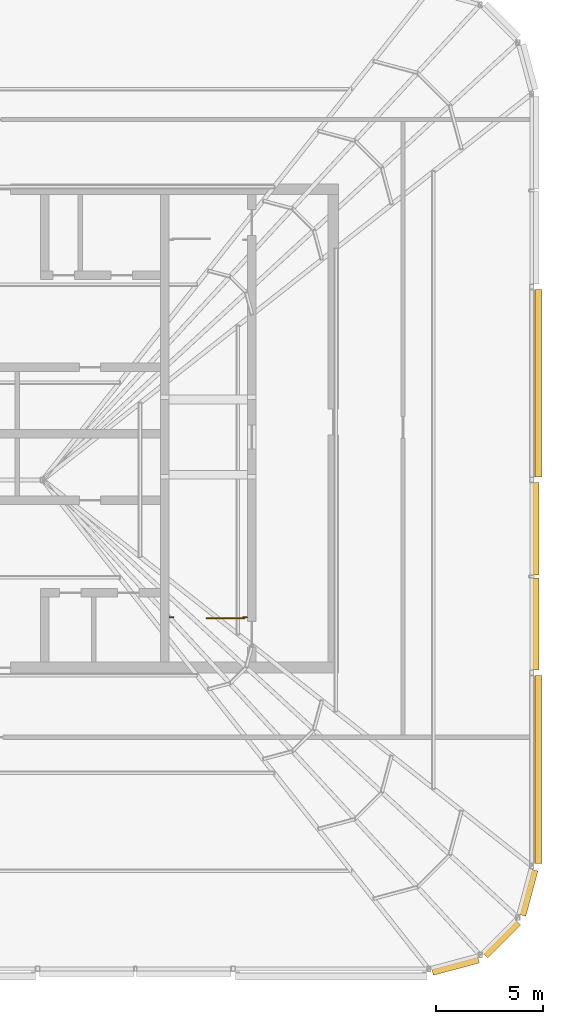
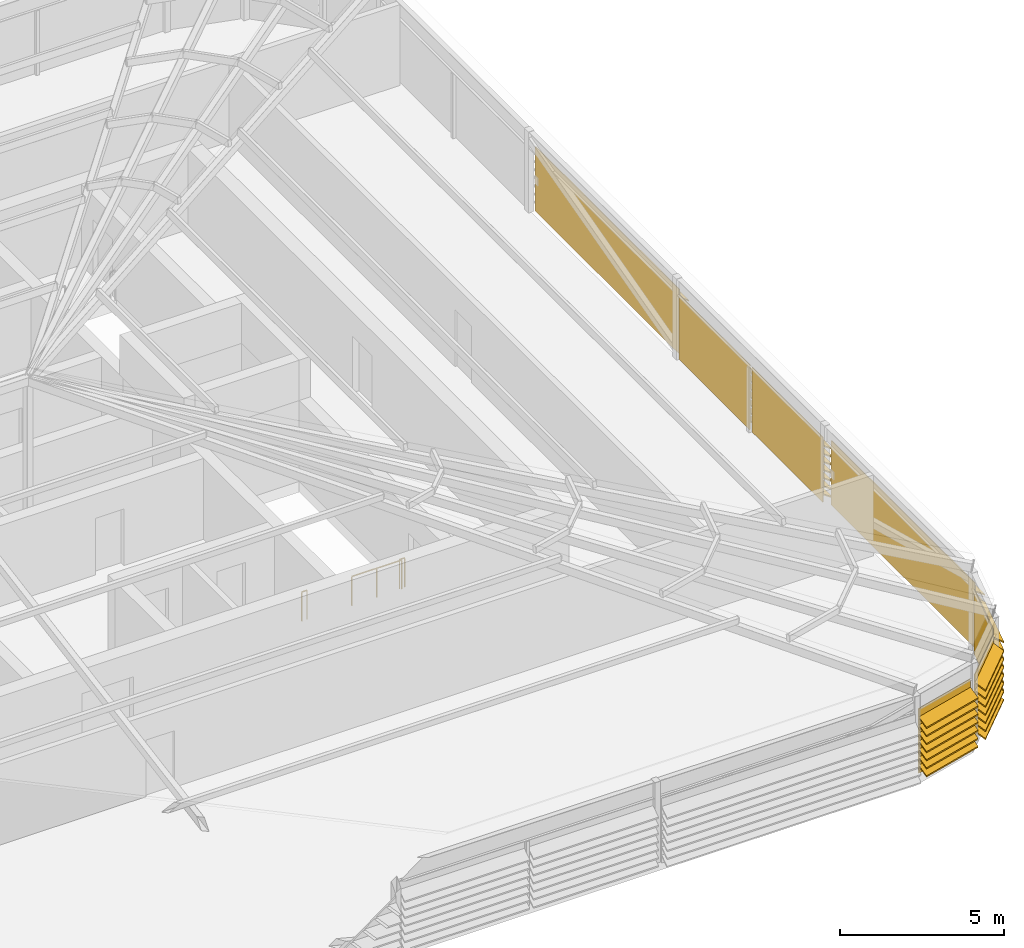
# One storey, part 44 of 46: 7 shading devices, 3 railings.
"""IFC4 building model written with IfcOpenShell, lengths in metres."""

from ifc_helpers import new_model, si_unit, direction, frame, origin, origin_2d, place, context, subcontext, project, spatial, polyline, circle, outline, extrude, material, type_object, element, save


model = new_model("IFC4")

# Units and contexts
model_context = context("Model", 3, precision=1e-05, world=origin(), true_north=direction((0.0, 1.0)))
body_context = subcontext(model_context, "Body", "Model", "MODEL_VIEW")
ifc_project = project(units=[si_unit("LENGTHUNIT", "METRE"), si_unit("AREAUNIT", "SQUARE_METRE"), si_unit("VOLUMEUNIT", "CUBIC_METRE"), si_unit("PLANEANGLEUNIT", "RADIAN"), si_unit("MASSUNIT", "GRAM", prefix="KILO")], contexts=[model_context])

# Site, building, storey
site_placement = place(None, origin())
site = spatial("IfcSite", under=ifc_project, at=site_placement, CompositionType="ELEMENT")
building_placement = place(site_placement, origin())
building = spatial("IfcBuilding", under=site, at=building_placement, Name="Madar Terraces", CompositionType="ELEMENT")
storey_placement = place(building_placement, frame((0.0, 0.0, 317.300048828125)))
storey = spatial("IfcBuildingStorey", under=building, at=storey_placement, Name="L82", CompositionType="ELEMENT", Elevation=317.300048828125)

# Shading devices
ifc_material_1 = material(Name="Aluminium, black anodised", Category="aluminium")
shading_device_type = type_object("IfcShadingDeviceType", Name="Crown louvre bank", PredefinedType="USERDEFINED", material=ifc_material_1)
shading_device_1_placement = place(storey_placement, frame((51.7265625, 1.23388671875, 0.0), z_axis=(0.965935304808, 0.258783668197, 0.0), x_axis=(-0.258783668197, 0.965935304808, 0.0)))
element("IfcShadingDevice", 1, at=shading_device_1_placement, inside=storey, type_object=shading_device_type, Name="LOUVRE bank L82 6.1", ObjectType="LOUVRE", PredefinedType="USERDEFINED", context=body_context, shape_type="SweptSolid", body=[
    extrude(outline(polyline([(0.014892578125, 0.0), (-0.014892578125, 0.0), (-0.014892578125, 0.24951171875), (-0.3427734375, 0.02001953125), (-0.3427734375, 0.06884765625), (-0.014892578125, 0.29833984375), (-0.014892578125, 0.54931640625), (-0.3427734375, 0.320068359375), (-0.3427734375, 0.368896484375), (-0.014892578125, 0.59814453125), (-0.014892578125, 0.849365234375), (-0.3427734375, 0.6201171875), (-0.3427734375, 0.6689453125), (-0.014892578125, 0.898193359375), (-0.014892578125, 1.1494140625), (-0.3427734375, 0.919921875), (-0.3427734375, 0.96875), (-0.014892578125, 1.1982421875), (-0.014892578125, 1.449462890625), (-0.3427734375, 1.219970703125), (-0.3427734375, 1.268798828125), (-0.014892578125, 1.498291015625), (-0.014892578125, 1.74951171875), (-0.3427734375, 1.52001953125), (-0.3427734375, 1.56884765625), (-0.014892578125, 1.79833984375), (-0.014892578125, 2.04931640625), (-0.3427734375, 1.820068359375), (-0.3427734375, 1.868896484375), (-0.014892578125, 2.09814453125), (-0.014892578125, 2.39794921875), (0.014892578125, 2.39794921875), (0.014892578125, 0.0)])), origin(), (0.0, 0.0, 1.0), 2.22265625),
])
shading_device_2_placement = place(storey_placement, frame((54.1142578125, 1.957275390625, 0.0), z_axis=(0.707106781187, 0.707106781187, 0.0), x_axis=(-0.707106781187, 0.707106781187, 0.0)))
element("IfcShadingDevice", 2, at=shading_device_2_placement, inside=storey, type_object=shading_device_type, Name="LOUVRE bank L82 7.1", ObjectType="LOUVRE", PredefinedType="USERDEFINED", context=body_context, shape_type="SweptSolid", body=[
    extrude(outline(polyline([(0.014892578125, 0.0), (-0.014892578125, 0.0), (-0.014892578125, 0.24951171875), (-0.3427734375, 0.02001953125), (-0.3427734375, 0.06884765625), (-0.014892578125, 0.29833984375), (-0.014892578125, 0.54931640625), (-0.3427734375, 0.320068359375), (-0.3427734375, 0.368896484375), (-0.014892578125, 0.59814453125), (-0.014892578125, 0.849365234375), (-0.3427734375, 0.6201171875), (-0.3427734375, 0.6689453125), (-0.014892578125, 0.898193359375), (-0.014892578125, 1.1494140625), (-0.3427734375, 0.919921875), (-0.3427734375, 0.96875), (-0.014892578125, 1.1982421875), (-0.014892578125, 1.449462890625), (-0.3427734375, 1.219970703125), (-0.3427734375, 1.268798828125), (-0.014892578125, 1.498291015625), (-0.014892578125, 1.74951171875), (-0.3427734375, 1.52001953125), (-0.3427734375, 1.56884765625), (-0.014892578125, 1.79833984375), (-0.014892578125, 2.04931640625), (-0.3427734375, 1.820068359375), (-0.3427734375, 1.868896484375), (-0.014892578125, 2.09814453125), (-0.014892578125, 2.39794921875), (0.014892578125, 2.39794921875), (0.014892578125, 0.0)])), origin(), (0.0, 0.0, 1.0), 2.161376953125),
])
shading_device_3_placement = place(storey_placement, frame((55.79541015625, 3.743896484375, 0.0), z_axis=(0.258788169352, 0.965934098893, 0.0), x_axis=(-0.965934098893, 0.258788169352, 0.0)))
element("IfcShadingDevice", 3, at=shading_device_3_placement, inside=storey, type_object=shading_device_type, Name="LOUVRE bank L82 8.1", ObjectType="LOUVRE", PredefinedType="USERDEFINED", context=body_context, shape_type="SweptSolid", body=[
    extrude(outline(polyline([(0.014892578125, 0.0), (-0.014892578125, 0.0), (-0.014892578125, 0.24951171875), (-0.3427734375, 0.02001953125), (-0.3427734375, 0.06884765625), (-0.014892578125, 0.29833984375), (-0.014892578125, 0.54931640625), (-0.3427734375, 0.320068359375), (-0.3427734375, 0.368896484375), (-0.014892578125, 0.59814453125), (-0.014892578125, 0.849365234375), (-0.3427734375, 0.6201171875), (-0.3427734375, 0.6689453125), (-0.014892578125, 0.898193359375), (-0.014892578125, 1.1494140625), (-0.3427734375, 0.919921875), (-0.3427734375, 0.96875), (-0.014892578125, 1.1982421875), (-0.014892578125, 1.449462890625), (-0.3427734375, 1.219970703125), (-0.3427734375, 1.268798828125), (-0.014892578125, 1.498291015625), (-0.014892578125, 1.74951171875), (-0.3427734375, 1.52001953125), (-0.3427734375, 1.56884765625), (-0.014892578125, 1.79833984375), (-0.014892578125, 2.04931640625), (-0.3427734375, 1.820068359375), (-0.3427734375, 1.868896484375), (-0.014892578125, 2.09814453125), (-0.014892578125, 2.39794921875), (0.014892578125, 2.39794921875), (0.014892578125, 0.0)])), origin(), (0.0, 0.0, 1.0), 2.186767578125),
])
shading_device_4_placement = place(storey_placement, frame((56.39990234375, 6.126953125, 0.0), z_axis=(0.0, 1.0, 0.0), x_axis=(-1.0, 0.0, 0.0)))
element("IfcShadingDevice", 4, at=shading_device_4_placement, inside=storey, type_object=shading_device_type, Name="LOUVRE bank L82 9.1", ObjectType="LOUVRE", PredefinedType="USERDEFINED", context=body_context, shape_type="SweptSolid", body=[
    extrude(outline(polyline([(-0.131591796875, 0.0), (-0.16162109375, 0.0), (-0.16162109375, 0.24951171875), (-0.4892578125, 0.02001953125), (-0.4892578125, 0.06884765625), (-0.16162109375, 0.29833984375), (-0.16162109375, 0.54931640625), (-0.4892578125, 0.320068359375), (-0.4892578125, 0.368896484375), (-0.16162109375, 0.59814453125), (-0.16162109375, 0.849365234375), (-0.4892578125, 0.6201171875), (-0.4892578125, 0.6689453125), (-0.16162109375, 0.898193359375), (-0.16162109375, 1.1494140625), (-0.4892578125, 0.919921875), (-0.4892578125, 0.96875), (-0.16162109375, 1.1982421875), (-0.16162109375, 1.449462890625), (-0.4892578125, 1.219970703125), (-0.4892578125, 1.268798828125), (-0.16162109375, 1.498291015625), (-0.16162109375, 1.74951171875), (-0.4892578125, 1.52001953125), (-0.4892578125, 1.56884765625), (-0.16162109375, 1.79833984375), (-0.16162109375, 2.04931640625), (-0.4892578125, 1.820068359375), (-0.4892578125, 1.868896484375), (-0.16162109375, 2.09814453125), (-0.16162109375, 2.39794921875), (-0.131591796875, 2.39794921875), (-0.131591796875, 0.0)])), origin(), (0.0, 0.0, 1.0), 8.74609375),
])
for number, where, z_axis, x_axis, name in (
    (5, (56.39990234375, 15.126953125, 0.0), (0.0, 1.0, 0.0), (-1.0, 0.0, 0.0), "LOUVRE bank L82 10.1"),
    (6, (56.39990234375, 19.5634765625, 0.0), (0.0, 1.0, 0.0), (-1.0, 0.0, 0.0), "LOUVRE bank L82 10.2"),
):
    element("IfcShadingDevice", number, at=place(storey_placement, frame(where, z_axis=z_axis, x_axis=x_axis)), inside=storey, type_object=shading_device_type, Name=name, ObjectType="LOUVRE", PredefinedType="USERDEFINED", context=body_context, shape_type="SweptSolid", body=[
        extrude(outline(polyline([(0.014892578125, 0.0), (-0.014892578125, 0.0), (-0.014892578125, 0.24951171875), (-0.3427734375, 0.02001953125), (-0.3427734375, 0.06884765625), (-0.014892578125, 0.29833984375), (-0.014892578125, 0.54931640625), (-0.3427734375, 0.320068359375), (-0.3427734375, 0.368896484375), (-0.014892578125, 0.59814453125), (-0.014892578125, 0.849365234375), (-0.3427734375, 0.6201171875), (-0.3427734375, 0.6689453125), (-0.014892578125, 0.898193359375), (-0.014892578125, 1.1494140625), (-0.3427734375, 0.919921875), (-0.3427734375, 0.96875), (-0.014892578125, 1.1982421875), (-0.014892578125, 1.449462890625), (-0.3427734375, 1.219970703125), (-0.3427734375, 1.268798828125), (-0.014892578125, 1.498291015625), (-0.014892578125, 1.74951171875), (-0.3427734375, 1.52001953125), (-0.3427734375, 1.56884765625), (-0.014892578125, 1.79833984375), (-0.014892578125, 2.04931640625), (-0.3427734375, 1.820068359375), (-0.3427734375, 1.868896484375), (-0.014892578125, 2.09814453125), (-0.014892578125, 2.39794921875), (0.014892578125, 2.39794921875), (0.014892578125, 0.0)])), origin(), (0.0, 0.0, 1.0), 4.3095703125),
    ])
shading_device_5_placement = place(storey_placement, frame((56.39990234375, 24.126953125, 0.0), z_axis=(0.0, 1.0, 0.0), x_axis=(-1.0, 0.0, 0.0)))
element("IfcShadingDevice", 7, at=shading_device_5_placement, inside=storey, type_object=shading_device_type, Name="LOUVRE bank L82 11.1", ObjectType="LOUVRE", PredefinedType="USERDEFINED", context=body_context, shape_type="SweptSolid", body=[
    extrude(outline(polyline([(-0.131591796875, 0.0), (-0.16162109375, 0.0), (-0.16162109375, 0.24951171875), (-0.4892578125, 0.02001953125), (-0.4892578125, 0.06884765625), (-0.16162109375, 0.29833984375), (-0.16162109375, 0.54931640625), (-0.4892578125, 0.320068359375), (-0.4892578125, 0.368896484375), (-0.16162109375, 0.59814453125), (-0.16162109375, 0.849365234375), (-0.4892578125, 0.6201171875), (-0.4892578125, 0.6689453125), (-0.16162109375, 0.898193359375), (-0.16162109375, 1.1494140625), (-0.4892578125, 0.919921875), (-0.4892578125, 0.96875), (-0.16162109375, 1.1982421875), (-0.16162109375, 1.449462890625), (-0.4892578125, 1.219970703125), (-0.4892578125, 1.268798828125), (-0.16162109375, 1.498291015625), (-0.16162109375, 1.74951171875), (-0.4892578125, 1.52001953125), (-0.4892578125, 1.56884765625), (-0.16162109375, 1.79833984375), (-0.16162109375, 2.04931640625), (-0.4892578125, 1.820068359375), (-0.4892578125, 1.868896484375), (-0.16162109375, 2.09814453125), (-0.16162109375, 2.39794921875), (-0.131591796875, 2.39794921875), (-0.131591796875, 0.0)])), origin(), (0.0, 0.0, 1.0), 8.74609375),
])

# Railings
ifc_material_2 = material(Name="Stainless steel railing", Category="steel")
railing_type = type_object("IfcRailingType", Name="Stair guard 1100", PredefinedType="GUARDRAIL", material=ifc_material_2)
railing_placement = place(storey_placement, frame((43.0, 17.550048828125, 0.0)))
element("IfcRailing", 8, at=railing_placement, inside=storey, type_object=railing_type, Name="L82 ST3 top well guard 1", PredefinedType="GUARDRAIL", context=body_context, shape_type="SweptSolid", body=[
    extrude(circle(Radius=0.02392578125, at=origin_2d()), frame((0.0, 0.0, 1.076171875), z_axis=(-1.0, 0.0, 0.0), x_axis=(0.0, -1.0, 0.0)), (0.0, 0.0, 1.0), 1.75),
    extrude(circle(Radius=0.02099609375, at=origin_2d()), origin(), (0.0, 0.0, 1.0), 1.052001953125),
    extrude(circle(Radius=0.02099609375, at=origin_2d()), frame((-0.875, 0.0, 0.0)), (0.0, 0.0, 1.0), 1.052001953125),
    extrude(circle(Radius=0.02099609375, at=origin_2d()), frame((-1.75, 0.0, 0.0)), (0.0, 0.0, 1.0), 1.052001953125),
])
for number, where, name in (
    (9, (39.52001953125, 17.60009765625, 0.0), "L82 stair guard floor 1"),
    (10, (42.949951171875, 17.60009765625, 0.0), "L82 stair guard floor 2"),
):
    element("IfcRailing", number, at=place(storey_placement, frame(where)), inside=storey, type_object=railing_type, Name=name, PredefinedType="GUARDRAIL", context=body_context, shape_type="SweptSolid", body=[
        extrude(circle(Radius=0.02392578125, at=origin_2d()), frame((0.0, 0.0, 1.076171875), z_axis=(1.0, 0.0, 0.0), x_axis=(0.0, 1.0, 0.0)), (0.0, 0.0, 1.0), 0.179931640625),
        extrude(circle(Radius=0.02099609375, at=origin_2d()), origin(), (0.0, 0.0, 1.0), 1.052001953125),
        extrude(circle(Radius=0.02099609375, at=origin_2d()), frame((0.179931640625, 0.0, 0.0)), (0.0, 0.0, 1.0), 1.052001953125),
    ])

save(model, "model.ifc")
